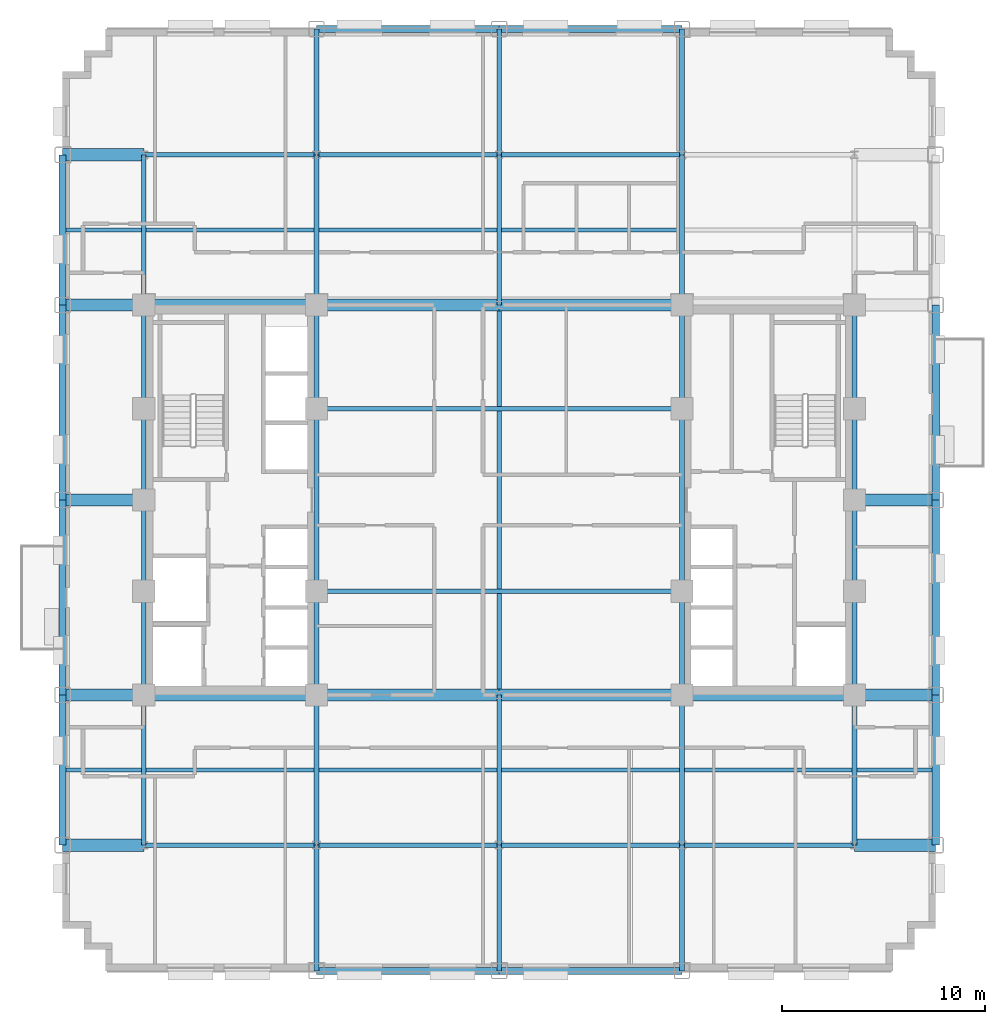
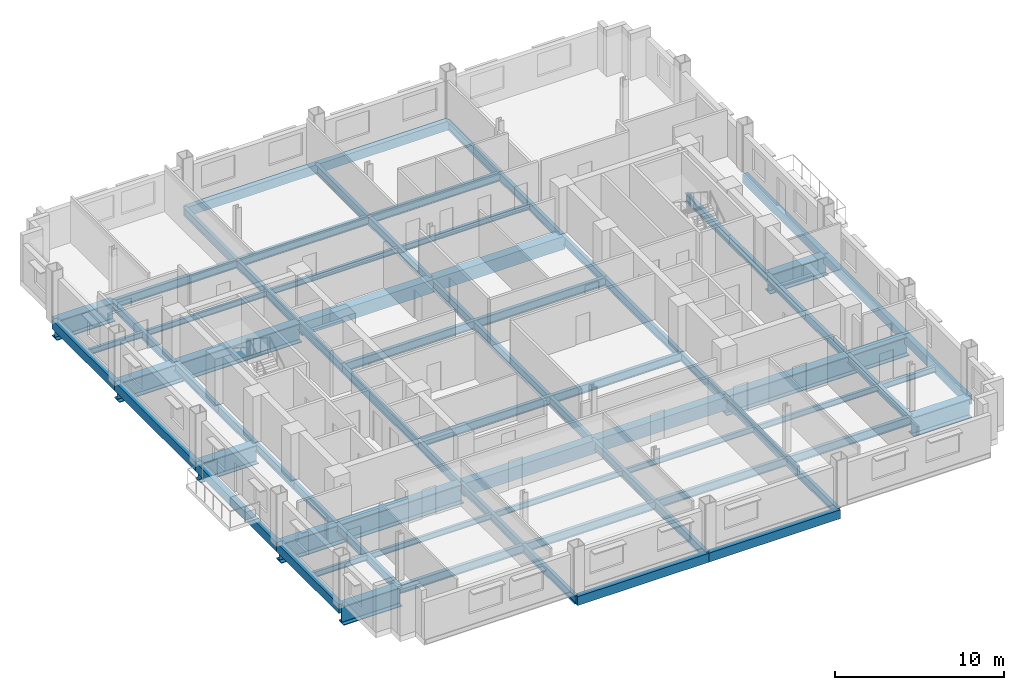
# One storey, part 4 of 14: 72 beams.
"""IFC4 building model written with IfcOpenShell, lengths in metres."""

import ifcopenshell
import ifcopenshell.guid

model = None  # the IFC model being written
_history = None  # IfcOwnerHistory: only IFC2X3 demands one
_inside = {}  # id of a spatial element -> (the spatial element, [elements in it])
_under = {}  # id of a project, library or spatial element -> (it, [spatial elements below it])
_declared = {}  # id of a project -> (the project, [libraries it declares])
_typed = {}  # id of a type object -> (the type object, [elements of that type])
_made_of = {}  # id of a material, layer set ... -> (it, [elements and type objects made of it])


def new_model(schema):
    """Start an empty IFC model of exactly this schema.

    Asked for "IFC4X3", IfcOpenShell would pick the latest addendum, in which some entities
    have other attributes; the version numbers below select the first issue.
    IFC2X3 requires an IfcOwnerHistory on every rooted entity: one is made here for all.
    """
    global model, _history
    if schema == "IFC4X3":
        model = ifcopenshell.file(schema_version=(4, 3, 0, 0))
    else:
        model = ifcopenshell.file(schema=schema)
    _inside.clear()
    _under.clear()
    _declared.clear()
    _typed.clear()
    _made_of.clear()
    _history = None
    if model.schema == "IFC2X3":
        org = make("IfcOrganization", Name="unknown")
        user = make(
            "IfcPersonAndOrganization",
            ThePerson=make("IfcPerson", FamilyName="unknown"),
            TheOrganization=org,
        )
        app = make(
            "IfcApplication",
            ApplicationDeveloper=org,
            Version="unknown",
            ApplicationFullName="unknown",
            ApplicationIdentifier="unknown",
        )
        _history = make(
            "IfcOwnerHistory",
            OwningUser=user,
            OwningApplication=app,
            ChangeAction="ADDED",
            CreationDate=0,
        )
    return model


def make(cls, **values):
    """One entity of the class cls with the attributes given. An attribute that is None is left unset."""
    return model.create_entity(
        cls, **{name: value for name, value in values.items() if value is not None}
    )


def rooted(cls, **values):
    """An entity with a GlobalId (a new one), such as an element, a storey or a relation."""
    return make(cls, GlobalId=ifcopenshell.guid.new(), OwnerHistory=_history, **values)


def si_unit(unit_type, name, prefix=None):
    """IfcSIUnit, for example si_unit("LENGTHUNIT", "METRE", prefix="MILLI")."""
    return make("IfcSIUnit", UnitType=unit_type, Prefix=prefix, Name=name)


def assignment(units):
    """IfcUnitAssignment: the units of a project."""
    return None if units is None else make("IfcUnitAssignment", Units=units)


def point(xyz):
    """IfcCartesianPoint."""
    return None if xyz is None else make("IfcCartesianPoint", Coordinates=xyz)


def direction(xyz):
    """IfcDirection."""
    return None if xyz is None else make("IfcDirection", DirectionRatios=xyz)


def frame(location, z_axis=None, x_axis=None):
    """IfcAxis2Placement3D, a coordinate frame: its origin and axes. An axis left out is left unset."""
    return make(
        "IfcAxis2Placement3D",
        Location=point(location),
        Axis=direction(z_axis),
        RefDirection=direction(x_axis),
    )


def frame_2d(location, x_axis=None):
    """IfcAxis2Placement2D, a coordinate frame in the plane: its origin and x axis."""
    return make(
        "IfcAxis2Placement2D", Location=point(location), RefDirection=direction(x_axis)
    )


def origin():
    """The frame at (0, 0, 0) with its axes left unset."""
    return frame((0.0, 0.0, 0.0))


def origin_2d():
    """The frame at (0, 0) in the plane with its x axis left unset."""
    return frame_2d((0.0, 0.0))


def place(relative_to, where):
    """IfcLocalPlacement: puts the frame where relative to a parent placement (None: the world)."""
    return make(
        "IfcLocalPlacement", PlacementRelTo=relative_to, RelativePlacement=where
    )


def context(
    kind, dimensions, precision=None, world=None, true_north=None, identifier=None
):
    """IfcGeometricRepresentationContext, for example the 3D "Model" context."""
    return make(
        "IfcGeometricRepresentationContext",
        ContextIdentifier=identifier,
        ContextType=kind,
        CoordinateSpaceDimension=dimensions,
        Precision=precision,
        WorldCoordinateSystem=world,
        TrueNorth=true_north,
    )


def subcontext(parent, identifier, kind, view, scale=None):
    """IfcGeometricRepresentationSubContext, for example "Body" below "Model"."""
    return make(
        "IfcGeometricRepresentationSubContext",
        ContextIdentifier=identifier,
        ContextType=kind,
        ParentContext=parent,
        TargetScale=scale,
        TargetView=view,
    )


def project(units=None, contexts=None):
    """IfcProject with its units and contexts."""
    return rooted(
        "IfcProject",
        Name="project",
        RepresentationContexts=contexts,
        UnitsInContext=assignment(units),
    )


def spatial(cls, under=None, at=None, **own):
    """A site, building, storey or space (cls), placed at a placement, below another one or the project."""
    s = rooted(cls, ObjectPlacement=at, **own)
    if under is not None:
        _under.setdefault(under.id(), (under, []))[1].append(s)
    return s


def profile(cls, at=None, kind="AREA", **sizes):
    """A parametric profile (cls). Its sizes go by their IFC names, for example OverallWidth=200.0."""
    return make(cls, ProfileType=kind, Position=at, **sizes)


def rectangle(**sizes):
    """IfcRectangleProfileDef."""
    return profile("IfcRectangleProfileDef", **sizes)


def i_section(**sizes):
    """IfcIShapeProfileDef."""
    return profile("IfcIShapeProfileDef", **sizes)


def extrude(swept, where, along, depth):
    """IfcExtrudedAreaSolid: the profile swept, set in the frame where, extruded along a direction by depth."""
    return make(
        "IfcExtrudedAreaSolid",
        SweptArea=swept,
        Position=where,
        ExtrudedDirection=direction(along),
        Depth=depth,
    )


def shape(context_of_items, identifier, shape_type, items):
    """IfcShapeRepresentation: the items that make up one representation, for example the "Body"."""
    return make(
        "IfcShapeRepresentation",
        ContextOfItems=context_of_items,
        RepresentationIdentifier=identifier,
        RepresentationType=shape_type,
        Items=items,
    )


def material(Name=None, Category=None):
    """IfcMaterial."""
    return make("IfcMaterial", Name=Name, Category=Category)


def material_profile(
    of_material, cross_section, Name=None, Category=None, Priority=None
):
    """IfcMaterialProfile: a cross section and its material."""
    return make(
        "IfcMaterialProfile",
        Name=Name,
        Material=of_material,
        Profile=cross_section,
        Priority=Priority,
        Category=Category,
    )


def profile_set(profiles, Name=None, composite=None):
    """IfcMaterialProfileSet."""
    return make(
        "IfcMaterialProfileSet",
        Name=Name,
        MaterialProfiles=profiles,
        CompositeProfile=composite,
    )


def made_of(thing, what):
    """Note that an element or type object is made of a material, layer set ...; save() writes the relation."""
    if what is not None:
        _made_of.setdefault(what.id(), (what, []))[1].append(thing)
    return thing


def type_object(cls, material=None, **own):
    """A type object (cls), such as IfcWallType, which elements share."""
    return made_of(rooted(cls, **own), material)


def element(
    cls,
    number,
    at=None,
    inside=None,
    cuts=None,
    type_object=None,
    material=None,
    context=None,
    identifier="Body",
    shape_type=None,
    held_by="IfcProductDefinitionShape",
    body=None,
    shapes=None,
    **own,
):
    """One element of the class cls, such as IfcWall. Its Tag is "e" and its number.

    at: its placement. inside: the storey or other place that contains it. cuts: it is an
    opening in that element (IfcRelVoidsElement). A single representation is given by context,
    identifier, shape_type and body (its items); several are given by shapes. held_by: the class
    of the entity that holds the representations. save() writes the other relations.
    """
    e = rooted(cls, Tag="e%d" % number, ObjectPlacement=at, **own)
    if body is not None:
        shapes = [shape(context, identifier, shape_type, body)]
    if shapes is not None:
        e.Representation = make(held_by, Representations=shapes)
    if inside is not None:
        _inside.setdefault(inside.id(), (inside, []))[1].append(e)
    if cuts is not None:
        rooted(
            "IfcRelVoidsElement", RelatingBuildingElement=cuts, RelatedOpeningElement=e
        )
    if type_object is not None:
        _typed.setdefault(type_object.id(), (type_object, []))[1].append(e)
    return made_of(e, material)


def aggregate(whole, parts):
    """IfcRelAggregates: a whole, such as a stair, and the parts it consists of."""
    return rooted("IfcRelAggregates", RelatingObject=whole, RelatedObjects=parts)


def save(model, path):
    """Write the relations noted so far, then the file.

    IfcRelAggregates (storeys below a building ...), IfcRelContainedInSpatialStructure (elements
    in a storey), IfcRelDefinesByType, IfcRelAssociatesMaterial and IfcRelDeclares: one each for
    every whole, place, type object, material and project.
    """
    for whole, parts in _under.values():
        aggregate(whole, parts)
    for where, things in _inside.values():
        rooted(
            "IfcRelContainedInSpatialStructure",
            RelatedElements=things,
            RelatingStructure=where,
        )
    for kind, things in _typed.values():
        rooted("IfcRelDefinesByType", RelatedObjects=things, RelatingType=kind)
    for what, things in _made_of.values():
        rooted("IfcRelAssociatesMaterial", RelatedObjects=things, RelatingMaterial=what)
    for by, libraries in _declared.values():
        rooted("IfcRelDeclares", RelatingContext=by, RelatedDefinitions=libraries)
    model.write(path)


model = new_model("IFC4")

# Units and contexts
model_context = context("Model", 3, precision=1e-05, world=origin(), true_north=direction((0.0, 1.0)))
body_context = subcontext(model_context, "Body", "Model", "MODEL_VIEW")
ifc_project = project(units=[si_unit("LENGTHUNIT", "METRE"), si_unit("AREAUNIT", "SQUARE_METRE"), si_unit("VOLUMEUNIT", "CUBIC_METRE"), si_unit("PLANEANGLEUNIT", "RADIAN"), si_unit("MASSUNIT", "GRAM", prefix="KILO")], contexts=[model_context])

# Site, building, storey
site_placement = place(None, origin())
site = spatial("IfcSite", under=ifc_project, at=site_placement, CompositionType="ELEMENT")
building_placement = place(site_placement, origin())
building = spatial("IfcBuilding", under=site, at=building_placement, Name="Nuvemarco Arch Tower", CompositionType="ELEMENT")
storey_placement = place(building_placement, frame((0.0, 0.0, 56.800048828125)))
storey = spatial("IfcBuildingStorey", under=building, at=storey_placement, Name="L14", CompositionType="ELEMENT", Elevation=56.800048828125)

# Beams
ifc_material_1 = material(Name="Concrete C60/75", Category="concrete")
ifc_material_profile_1 = material_profile(ifc_material_1, rectangle(XDim=0.60009765625, YDim=0.949951171875, at=origin_2d()), Name="RC-BM-600x950")
ifc_profile_set_1 = profile_set([ifc_material_profile_1], Name="Concrete C60/75")
beam_type_1 = type_object("IfcBeamType", Name="BM-COUP-RC", PredefinedType="LINTEL", material=ifc_profile_set_1)
for number, where, z_axis, x_axis, name in (
    (1, (-9.0, -9.60009765625, -0.875), (1.0, 0.0, 0.0), (0.0, 1.0, 0.0), "L14 structural beam BGEW_L14_0_-9.6_-9.0"),
    (2, (0.0, -9.60009765625, -0.875), (1.0, 0.0, 0.0), (0.0, 1.0, 0.0), "L14 structural beam BGEW_L14_0_-9.6_+0.0"),
    (3, (-9.0, 9.60009765625, -0.875), (1.0, 0.0, 0.0), (0.0, 1.0, 0.0), "L14 structural beam BGEW_L14_0_+9.6_-9.0"),
    (4, (0.0, 9.60009765625, -0.875), (1.0, 0.0, 0.0), (0.0, 1.0, 0.0), "L14 structural beam BGEW_L14_0_+9.6_+0.0"),
):
    element("IfcBeam", number, at=place(storey_placement, frame(where, z_axis=z_axis, x_axis=x_axis)), inside=storey, type_object=beam_type_1, Name=name, PredefinedType="LINTEL", context=body_context, shape_type="SweptSolid", body=[
        extrude(rectangle(XDim=0.60009765625, YDim=0.949951171875, at=origin_2d()), origin(), (0.0, 0.0, 1.0), 9.0),
    ])
ifc_material_2 = material(Name="Steel S355", Category="steel")
ifc_material_profile_2 = material_profile(ifc_material_2, i_section(OverallWidth=0.22998046875, OverallDepth=0.616943359375, WebThickness=0.01318359375, FlangeThickness=0.022216796875, FilletRadius=0.01611328125, at=origin_2d()), Name="W610x140")
ifc_profile_set_2 = profile_set([ifc_material_profile_2], Name="Steel S355")
beam_type_2 = type_object("IfcBeamType", Name="BM-GIRD-610", PredefinedType="BEAM", material=ifc_profile_set_2)
beam_1_placement = place(storey_placement, frame((-17.5, -17.0, -0.70849609375), z_axis=(0.0, 1.0, 0.0), x_axis=(-1.0, 0.0, 0.0)))
element("IfcBeam", 5, at=beam_1_placement, inside=storey, type_object=beam_type_2, Name="L14 structural beam BGNS_L14_0_-17.5_-17.0", PredefinedType="BEAM", context=body_context, shape_type="SweptSolid", body=[
    extrude(i_section(OverallWidth=0.22998046875, OverallDepth=0.616943359375, WebThickness=0.01318359375, FlangeThickness=0.022216796875, FilletRadius=0.01611328125, at=origin_2d()), origin(), (0.0, 0.0, 1.0), 7.39990234375),
])
beam_2_placement = place(storey_placement, frame((-17.5, -9.60009765625, -0.70849609375), z_axis=(0.0, 1.0, 0.0), x_axis=(-1.0, 0.0, 0.0)))
element("IfcBeam", 6, at=beam_2_placement, inside=storey, type_object=beam_type_2, Name="L14 structural beam BGNS_L14_0_-17.5_-9.6", PredefinedType="BEAM", context=body_context, shape_type="SweptSolid", body=[
    extrude(i_section(OverallWidth=0.22998046875, OverallDepth=0.616943359375, WebThickness=0.01318359375, FlangeThickness=0.022216796875, FilletRadius=0.01611328125, at=origin_2d()), origin(), (0.0, 0.0, 1.0), 5.10009765625),
])
for number, where, z_axis, x_axis, name in (
    (7, (-17.5, -4.5, -0.70849609375), (0.0, 1.0, 0.0), (-1.0, 0.0, 0.0), "L14 structural beam BGNS_L14_0_-17.5_-4.5"),
    (8, (-17.5, 0.0, -0.70849609375), (0.0, 1.0, 0.0), (-1.0, 0.0, 0.0), "L14 structural beam BGNS_L14_0_-17.5_+0.0"),
):
    element("IfcBeam", number, at=place(storey_placement, frame(where, z_axis=z_axis, x_axis=x_axis)), inside=storey, type_object=beam_type_2, Name=name, PredefinedType="BEAM", context=body_context, shape_type="SweptSolid", body=[
        extrude(i_section(OverallWidth=0.22998046875, OverallDepth=0.616943359375, WebThickness=0.01318359375, FlangeThickness=0.022216796875, FilletRadius=0.01611328125, at=origin_2d()), origin(), (0.0, 0.0, 1.0), 4.5),
    ])
beam_3_placement = place(storey_placement, frame((-17.5, 4.5, -0.70849609375), z_axis=(0.0, 1.0, 0.0), x_axis=(-1.0, 0.0, 0.0)))
element("IfcBeam", 9, at=beam_3_placement, inside=storey, type_object=beam_type_2, Name="L14 structural beam BGNS_L14_0_-17.5_+4.5", PredefinedType="BEAM", context=body_context, shape_type="SweptSolid", body=[
    extrude(i_section(OverallWidth=0.22998046875, OverallDepth=0.616943359375, WebThickness=0.01318359375, FlangeThickness=0.022216796875, FilletRadius=0.01611328125, at=origin_2d()), origin(), (0.0, 0.0, 1.0), 5.10009765625),
])
beam_4_placement = place(storey_placement, frame((-17.5, 9.60009765625, -0.70849609375), z_axis=(0.0, 1.0, 0.0), x_axis=(-1.0, 0.0, 0.0)))
element("IfcBeam", 10, at=beam_4_placement, inside=storey, type_object=beam_type_2, Name="L14 structural beam BGNS_L14_0_-17.5_+9.6", PredefinedType="BEAM", context=body_context, shape_type="SweptSolid", body=[
    extrude(i_section(OverallWidth=0.22998046875, OverallDepth=0.616943359375, WebThickness=0.01318359375, FlangeThickness=0.022216796875, FilletRadius=0.01611328125, at=origin_2d()), origin(), (0.0, 0.0, 1.0), 7.39990234375),
])
beam_5_placement = place(storey_placement, frame((-9.0, -23.199951171875, -0.70849609375), z_axis=(0.0, 1.0, 0.0), x_axis=(-1.0, 0.0, 0.0)))
element("IfcBeam", 11, at=beam_5_placement, inside=storey, type_object=beam_type_2, Name="L14 structural beam BGNS_L14_0_-9.0_-23.2", PredefinedType="BEAM", context=body_context, shape_type="SweptSolid", body=[
    extrude(i_section(OverallWidth=0.22998046875, OverallDepth=0.616943359375, WebThickness=0.01318359375, FlangeThickness=0.022216796875, FilletRadius=0.01611328125, at=origin_2d()), origin(), (0.0, 0.0, 1.0), 6.199951171875),
])
beam_6_placement = place(storey_placement, frame((-9.0, -17.0, -0.70849609375), z_axis=(0.0, 1.0, 0.0), x_axis=(-1.0, 0.0, 0.0)))
element("IfcBeam", 12, at=beam_6_placement, inside=storey, type_object=beam_type_2, Name="L14 structural beam BGNS_L14_0_-9.0_-17.0", PredefinedType="BEAM", context=body_context, shape_type="SweptSolid", body=[
    extrude(i_section(OverallWidth=0.22998046875, OverallDepth=0.616943359375, WebThickness=0.01318359375, FlangeThickness=0.022216796875, FilletRadius=0.01611328125, at=origin_2d()), origin(), (0.0, 0.0, 1.0), 7.39990234375),
])
beam_7_placement = place(storey_placement, frame((-9.0, -9.60009765625, -0.70849609375), z_axis=(0.0, 1.0, 0.0), x_axis=(-1.0, 0.0, 0.0)))
element("IfcBeam", 13, at=beam_7_placement, inside=storey, type_object=beam_type_2, Name="L14 structural beam BGNS_L14_0_-9.0_-9.6", PredefinedType="BEAM", context=body_context, shape_type="SweptSolid", body=[
    extrude(i_section(OverallWidth=0.22998046875, OverallDepth=0.616943359375, WebThickness=0.01318359375, FlangeThickness=0.022216796875, FilletRadius=0.01611328125, at=origin_2d()), origin(), (0.0, 0.0, 1.0), 5.10009765625),
])
beam_8_placement = place(storey_placement, frame((-9.0, -4.5, -0.70849609375), z_axis=(0.0, 1.0, 0.0), x_axis=(-1.0, 0.0, 0.0)))
element("IfcBeam", 14, at=beam_8_placement, inside=storey, type_object=beam_type_2, Name="L14 structural beam BGNS_L14_0_-9.0_-4.5", PredefinedType="BEAM", context=body_context, shape_type="SweptSolid", body=[
    extrude(i_section(OverallWidth=0.22998046875, OverallDepth=0.616943359375, WebThickness=0.01318359375, FlangeThickness=0.022216796875, FilletRadius=0.01611328125, at=origin_2d()), origin(), (0.0, 0.0, 1.0), 9.0),
])
beam_9_placement = place(storey_placement, frame((-9.0, 4.5, -0.70849609375), z_axis=(0.0, 1.0, 0.0), x_axis=(-1.0, 0.0, 0.0)))
element("IfcBeam", 15, at=beam_9_placement, inside=storey, type_object=beam_type_2, Name="L14 structural beam BGNS_L14_0_-9.0_+4.5", PredefinedType="BEAM", context=body_context, shape_type="SweptSolid", body=[
    extrude(i_section(OverallWidth=0.22998046875, OverallDepth=0.616943359375, WebThickness=0.01318359375, FlangeThickness=0.022216796875, FilletRadius=0.01611328125, at=origin_2d()), origin(), (0.0, 0.0, 1.0), 5.10009765625),
])
beam_10_placement = place(storey_placement, frame((-9.0, 9.60009765625, -0.70849609375), z_axis=(0.0, 1.0, 0.0), x_axis=(-1.0, 0.0, 0.0)))
element("IfcBeam", 16, at=beam_10_placement, inside=storey, type_object=beam_type_2, Name="L14 structural beam BGNS_L14_0_-9.0_+9.6", PredefinedType="BEAM", context=body_context, shape_type="SweptSolid", body=[
    extrude(i_section(OverallWidth=0.22998046875, OverallDepth=0.616943359375, WebThickness=0.01318359375, FlangeThickness=0.022216796875, FilletRadius=0.01611328125, at=origin_2d()), origin(), (0.0, 0.0, 1.0), 7.39990234375),
])
for number, where, z_axis, x_axis, name in (
    (17, (-9.0, 17.0, -0.70849609375), (0.0, 1.0, 0.0), (-1.0, 0.0, 0.0), "L14 structural beam BGNS_L14_0_-9.0_+17.0"),
    (18, (0.0, -23.199951171875, -0.70849609375), (0.0, 1.0, 0.0), (-1.0, 0.0, 0.0), "L14 structural beam BGNS_L14_0_+0.0_-23.2"),
):
    element("IfcBeam", number, at=place(storey_placement, frame(where, z_axis=z_axis, x_axis=x_axis)), inside=storey, type_object=beam_type_2, Name=name, PredefinedType="BEAM", context=body_context, shape_type="SweptSolid", body=[
        extrude(i_section(OverallWidth=0.22998046875, OverallDepth=0.616943359375, WebThickness=0.01318359375, FlangeThickness=0.022216796875, FilletRadius=0.01611328125, at=origin_2d()), origin(), (0.0, 0.0, 1.0), 6.199951171875),
    ])
beam_11_placement = place(storey_placement, frame((0.0, -17.0, -0.70849609375), z_axis=(0.0, 1.0, 0.0), x_axis=(-1.0, 0.0, 0.0)))
element("IfcBeam", 19, at=beam_11_placement, inside=storey, type_object=beam_type_2, Name="L14 structural beam BGNS_L14_0_+0.0_-17.0", PredefinedType="BEAM", context=body_context, shape_type="SweptSolid", body=[
    extrude(i_section(OverallWidth=0.22998046875, OverallDepth=0.616943359375, WebThickness=0.01318359375, FlangeThickness=0.022216796875, FilletRadius=0.01611328125, at=origin_2d()), origin(), (0.0, 0.0, 1.0), 7.39990234375),
])
beam_12_placement = place(storey_placement, frame((0.0, -9.60009765625, -0.70849609375), z_axis=(0.0, 1.0, 0.0), x_axis=(-1.0, 0.0, 0.0)))
element("IfcBeam", 20, at=beam_12_placement, inside=storey, type_object=beam_type_2, Name="L14 structural beam BGNS_L14_0_+0.0_-9.6", PredefinedType="BEAM", context=body_context, shape_type="SweptSolid", body=[
    extrude(i_section(OverallWidth=0.22998046875, OverallDepth=0.616943359375, WebThickness=0.01318359375, FlangeThickness=0.022216796875, FilletRadius=0.01611328125, at=origin_2d()), origin(), (0.0, 0.0, 1.0), 19.2001953125),
])
beam_13_placement = place(storey_placement, frame((0.0, 9.60009765625, -0.70849609375), z_axis=(0.0, 1.0, 0.0), x_axis=(-1.0, 0.0, 0.0)))
element("IfcBeam", 21, at=beam_13_placement, inside=storey, type_object=beam_type_2, Name="L14 structural beam BGNS_L14_0_+0.0_+9.6", PredefinedType="BEAM", context=body_context, shape_type="SweptSolid", body=[
    extrude(i_section(OverallWidth=0.22998046875, OverallDepth=0.616943359375, WebThickness=0.01318359375, FlangeThickness=0.022216796875, FilletRadius=0.01611328125, at=origin_2d()), origin(), (0.0, 0.0, 1.0), 7.39990234375),
])
for number, where, z_axis, x_axis, name in (
    (22, (0.0, 17.0, -0.70849609375), (0.0, 1.0, 0.0), (-1.0, 0.0, 0.0), "L14 structural beam BGNS_L14_0_+0.0_+17.0"),
    (23, (9.0, -23.199951171875, -0.70849609375), (0.0, 1.0, 0.0), (-1.0, 0.0, 0.0), "L14 structural beam BGNS_L14_0_+9.0_-23.2"),
):
    element("IfcBeam", number, at=place(storey_placement, frame(where, z_axis=z_axis, x_axis=x_axis)), inside=storey, type_object=beam_type_2, Name=name, PredefinedType="BEAM", context=body_context, shape_type="SweptSolid", body=[
        extrude(i_section(OverallWidth=0.22998046875, OverallDepth=0.616943359375, WebThickness=0.01318359375, FlangeThickness=0.022216796875, FilletRadius=0.01611328125, at=origin_2d()), origin(), (0.0, 0.0, 1.0), 6.199951171875),
    ])
beam_14_placement = place(storey_placement, frame((9.0, -17.0, -0.70849609375), z_axis=(0.0, 1.0, 0.0), x_axis=(-1.0, 0.0, 0.0)))
element("IfcBeam", 24, at=beam_14_placement, inside=storey, type_object=beam_type_2, Name="L14 structural beam BGNS_L14_0_+9.0_-17.0", PredefinedType="BEAM", context=body_context, shape_type="SweptSolid", body=[
    extrude(i_section(OverallWidth=0.22998046875, OverallDepth=0.616943359375, WebThickness=0.01318359375, FlangeThickness=0.022216796875, FilletRadius=0.01611328125, at=origin_2d()), origin(), (0.0, 0.0, 1.0), 7.39990234375),
])
beam_15_placement = place(storey_placement, frame((9.0, -9.60009765625, -0.70849609375), z_axis=(0.0, 1.0, 0.0), x_axis=(-1.0, 0.0, 0.0)))
element("IfcBeam", 25, at=beam_15_placement, inside=storey, type_object=beam_type_2, Name="L14 structural beam BGNS_L14_0_+9.0_-9.6", PredefinedType="BEAM", context=body_context, shape_type="SweptSolid", body=[
    extrude(i_section(OverallWidth=0.22998046875, OverallDepth=0.616943359375, WebThickness=0.01318359375, FlangeThickness=0.022216796875, FilletRadius=0.01611328125, at=origin_2d()), origin(), (0.0, 0.0, 1.0), 5.10009765625),
])
beam_16_placement = place(storey_placement, frame((9.0, -4.5, -0.70849609375), z_axis=(0.0, 1.0, 0.0), x_axis=(-1.0, 0.0, 0.0)))
element("IfcBeam", 26, at=beam_16_placement, inside=storey, type_object=beam_type_2, Name="L14 structural beam BGNS_L14_0_+9.0_-4.5", PredefinedType="BEAM", context=body_context, shape_type="SweptSolid", body=[
    extrude(i_section(OverallWidth=0.22998046875, OverallDepth=0.616943359375, WebThickness=0.01318359375, FlangeThickness=0.022216796875, FilletRadius=0.01611328125, at=origin_2d()), origin(), (0.0, 0.0, 1.0), 9.0),
])
beam_17_placement = place(storey_placement, frame((9.0, 4.5, -0.70849609375), z_axis=(0.0, 1.0, 0.0), x_axis=(-1.0, 0.0, 0.0)))
element("IfcBeam", 27, at=beam_17_placement, inside=storey, type_object=beam_type_2, Name="L14 structural beam BGNS_L14_0_+9.0_+4.5", PredefinedType="BEAM", context=body_context, shape_type="SweptSolid", body=[
    extrude(i_section(OverallWidth=0.22998046875, OverallDepth=0.616943359375, WebThickness=0.01318359375, FlangeThickness=0.022216796875, FilletRadius=0.01611328125, at=origin_2d()), origin(), (0.0, 0.0, 1.0), 5.10009765625),
])
beam_18_placement = place(storey_placement, frame((9.0, 9.60009765625, -0.70849609375), z_axis=(0.0, 1.0, 0.0), x_axis=(-1.0, 0.0, 0.0)))
element("IfcBeam", 28, at=beam_18_placement, inside=storey, type_object=beam_type_2, Name="L14 structural beam BGNS_L14_0_+9.0_+9.6", PredefinedType="BEAM", context=body_context, shape_type="SweptSolid", body=[
    extrude(i_section(OverallWidth=0.22998046875, OverallDepth=0.616943359375, WebThickness=0.01318359375, FlangeThickness=0.022216796875, FilletRadius=0.01611328125, at=origin_2d()), origin(), (0.0, 0.0, 1.0), 7.39990234375),
])
beam_19_placement = place(storey_placement, frame((9.0, 17.0, -0.70849609375), z_axis=(0.0, 1.0, 0.0), x_axis=(-1.0, 0.0, 0.0)))
element("IfcBeam", 29, at=beam_19_placement, inside=storey, type_object=beam_type_2, Name="L14 structural beam BGNS_L14_0_+9.0_+17.0", PredefinedType="BEAM", context=body_context, shape_type="SweptSolid", body=[
    extrude(i_section(OverallWidth=0.22998046875, OverallDepth=0.616943359375, WebThickness=0.01318359375, FlangeThickness=0.022216796875, FilletRadius=0.01611328125, at=origin_2d()), origin(), (0.0, 0.0, 1.0), 6.199951171875),
])
beam_20_placement = place(storey_placement, frame((17.5, -17.0, -0.70849609375), z_axis=(0.0, 1.0, 0.0), x_axis=(-1.0, 0.0, 0.0)))
element("IfcBeam", 30, at=beam_20_placement, inside=storey, type_object=beam_type_2, Name="L14 structural beam BGNS_L14_0_+17.5_-17.0", PredefinedType="BEAM", context=body_context, shape_type="SweptSolid", body=[
    extrude(i_section(OverallWidth=0.22998046875, OverallDepth=0.616943359375, WebThickness=0.01318359375, FlangeThickness=0.022216796875, FilletRadius=0.01611328125, at=origin_2d()), origin(), (0.0, 0.0, 1.0), 7.39990234375),
])
beam_21_placement = place(storey_placement, frame((17.5, -9.60009765625, -0.70849609375), z_axis=(0.0, 1.0, 0.0), x_axis=(-1.0, 0.0, 0.0)))
element("IfcBeam", 31, at=beam_21_placement, inside=storey, type_object=beam_type_2, Name="L14 structural beam BGNS_L14_0_+17.5_-9.6", PredefinedType="BEAM", context=body_context, shape_type="SweptSolid", body=[
    extrude(i_section(OverallWidth=0.22998046875, OverallDepth=0.616943359375, WebThickness=0.01318359375, FlangeThickness=0.022216796875, FilletRadius=0.01611328125, at=origin_2d()), origin(), (0.0, 0.0, 1.0), 5.10009765625),
])
for number, where, z_axis, x_axis, name in (
    (32, (17.5, -4.5, -0.70849609375), (0.0, 1.0, 0.0), (-1.0, 0.0, 0.0), "L14 structural beam BGNS_L14_0_+17.5_-4.5"),
    (33, (17.5, 0.0, -0.70849609375), (0.0, 1.0, 0.0), (-1.0, 0.0, 0.0), "L14 structural beam BGNS_L14_0_+17.5_+0.0"),
):
    element("IfcBeam", number, at=place(storey_placement, frame(where, z_axis=z_axis, x_axis=x_axis)), inside=storey, type_object=beam_type_2, Name=name, PredefinedType="BEAM", context=body_context, shape_type="SweptSolid", body=[
        extrude(i_section(OverallWidth=0.22998046875, OverallDepth=0.616943359375, WebThickness=0.01318359375, FlangeThickness=0.022216796875, FilletRadius=0.01611328125, at=origin_2d()), origin(), (0.0, 0.0, 1.0), 4.5),
    ])
beam_22_placement = place(storey_placement, frame((17.5, 4.5, -0.70849609375), z_axis=(0.0, 1.0, 0.0), x_axis=(-1.0, 0.0, 0.0)))
element("IfcBeam", 34, at=beam_22_placement, inside=storey, type_object=beam_type_2, Name="L14 structural beam BGNS_L14_0_+17.5_+4.5", PredefinedType="BEAM", context=body_context, shape_type="SweptSolid", body=[
    extrude(i_section(OverallWidth=0.22998046875, OverallDepth=0.616943359375, WebThickness=0.01318359375, FlangeThickness=0.022216796875, FilletRadius=0.01611328125, at=origin_2d()), origin(), (0.0, 0.0, 1.0), 5.10009765625),
])
beam_23_placement = place(storey_placement, frame((-17.5, -17.0, -0.70849609375), z_axis=(1.0, 0.0, 0.0), x_axis=(0.0, 1.0, 0.0)))
element("IfcBeam", 35, at=beam_23_placement, inside=storey, type_object=beam_type_2, Name="L14 structural beam BGEW_L14_0_-17.0_-17.5", PredefinedType="BEAM", context=body_context, shape_type="SweptSolid", body=[
    extrude(i_section(OverallWidth=0.22998046875, OverallDepth=0.616943359375, WebThickness=0.01318359375, FlangeThickness=0.022216796875, FilletRadius=0.01611328125, at=origin_2d()), origin(), (0.0, 0.0, 1.0), 8.5),
])
for number, where, z_axis, x_axis, name in (
    (36, (-9.0, -17.0, -0.70849609375), (1.0, 0.0, 0.0), (0.0, 1.0, 0.0), "L14 structural beam BGEW_L14_0_-17.0_-9.0"),
    (37, (0.0, -17.0, -0.70849609375), (1.0, 0.0, 0.0), (0.0, 1.0, 0.0), "L14 structural beam BGEW_L14_0_-17.0_+0.0"),
):
    element("IfcBeam", number, at=place(storey_placement, frame(where, z_axis=z_axis, x_axis=x_axis)), inside=storey, type_object=beam_type_2, Name=name, PredefinedType="BEAM", context=body_context, shape_type="SweptSolid", body=[
        extrude(i_section(OverallWidth=0.22998046875, OverallDepth=0.616943359375, WebThickness=0.01318359375, FlangeThickness=0.022216796875, FilletRadius=0.01611328125, at=origin_2d()), origin(), (0.0, 0.0, 1.0), 9.0),
    ])
beam_24_placement = place(storey_placement, frame((9.0, -17.0, -0.70849609375), z_axis=(1.0, 0.0, 0.0), x_axis=(0.0, 1.0, 0.0)))
element("IfcBeam", 38, at=beam_24_placement, inside=storey, type_object=beam_type_2, Name="L14 structural beam BGEW_L14_0_-17.0_+9.0", PredefinedType="BEAM", context=body_context, shape_type="SweptSolid", body=[
    extrude(i_section(OverallWidth=0.22998046875, OverallDepth=0.616943359375, WebThickness=0.01318359375, FlangeThickness=0.022216796875, FilletRadius=0.01611328125, at=origin_2d()), origin(), (0.0, 0.0, 1.0), 8.5),
])
for number, where, z_axis, x_axis, name in (
    (39, (-9.0, -4.5, -0.70849609375), (1.0, 0.0, 0.0), (0.0, 1.0, 0.0), "L14 structural beam BGEW_L14_0_-4.5_-9.0"),
    (40, (-9.0, 4.5, -0.70849609375), (1.0, 0.0, 0.0), (0.0, 1.0, 0.0), "L14 structural beam BGEW_L14_0_+4.5_-9.0"),
):
    element("IfcBeam", number, at=place(storey_placement, frame(where, z_axis=z_axis, x_axis=x_axis)), inside=storey, type_object=beam_type_2, Name=name, PredefinedType="BEAM", context=body_context, shape_type="SweptSolid", body=[
        extrude(i_section(OverallWidth=0.22998046875, OverallDepth=0.616943359375, WebThickness=0.01318359375, FlangeThickness=0.022216796875, FilletRadius=0.01611328125, at=origin_2d()), origin(), (0.0, 0.0, 1.0), 18.0),
    ])
beam_25_placement = place(storey_placement, frame((-17.5, 17.0, -0.70849609375), z_axis=(1.0, 0.0, 0.0), x_axis=(0.0, 1.0, 0.0)))
element("IfcBeam", 41, at=beam_25_placement, inside=storey, type_object=beam_type_2, Name="L14 structural beam BGEW_L14_0_+17.0_-17.5", PredefinedType="BEAM", context=body_context, shape_type="SweptSolid", body=[
    extrude(i_section(OverallWidth=0.22998046875, OverallDepth=0.616943359375, WebThickness=0.01318359375, FlangeThickness=0.022216796875, FilletRadius=0.01611328125, at=origin_2d()), origin(), (0.0, 0.0, 1.0), 8.5),
])
for number, where, z_axis, x_axis, name in (
    (42, (-9.0, 17.0, -0.70849609375), (1.0, 0.0, 0.0), (0.0, 1.0, 0.0), "L14 structural beam BGEW_L14_0_+17.0_-9.0"),
    (43, (0.0, 17.0, -0.70849609375), (1.0, 0.0, 0.0), (0.0, 1.0, 0.0), "L14 structural beam BGEW_L14_0_+17.0_+0.0"),
):
    element("IfcBeam", number, at=place(storey_placement, frame(where, z_axis=z_axis, x_axis=x_axis)), inside=storey, type_object=beam_type_2, Name=name, PredefinedType="BEAM", context=body_context, shape_type="SweptSolid", body=[
        extrude(i_section(OverallWidth=0.22998046875, OverallDepth=0.616943359375, WebThickness=0.01318359375, FlangeThickness=0.022216796875, FilletRadius=0.01611328125, at=origin_2d()), origin(), (0.0, 0.0, 1.0), 9.0),
    ])
ifc_material_profile_3 = material_profile(ifc_material_2, i_section(OverallWidth=0.179931640625, OverallDepth=0.4130859375, WebThickness=0.009765625, FlangeThickness=0.01611328125, FilletRadius=0.014892578125, at=origin_2d()), Name="W410x75")
ifc_profile_set_3 = profile_set([ifc_material_profile_3], Name="Steel S355")
beam_type_3 = type_object("IfcBeamType", Name="BM-JOIST-410", PredefinedType="JOIST", material=ifc_profile_set_3)
beam_26_placement = place(storey_placement, frame((-21.324951171875, -13.300048828125, -0.6064453125), z_axis=(1.0, 0.0, 0.0), x_axis=(0.0, 1.0, 0.0)))
element("IfcBeam", 44, at=beam_26_placement, inside=storey, type_object=beam_type_3, Name="L14 structural beam BJ_L14_0_-13.3_-21.5", PredefinedType="JOIST", context=body_context, shape_type="SweptSolid", body=[
    extrude(i_section(OverallWidth=0.179931640625, OverallDepth=0.4130859375, WebThickness=0.009765625, FlangeThickness=0.01611328125, FilletRadius=0.014892578125, at=origin_2d()), origin(), (0.0, 0.0, 1.0), 3.7099609375),
])
beam_27_placement = place(storey_placement, frame((-17.385009765625, -13.300048828125, -0.6064453125), z_axis=(1.0, 0.0, 0.0), x_axis=(0.0, 1.0, 0.0)))
element("IfcBeam", 45, at=beam_27_placement, inside=storey, type_object=beam_type_3, Name="L14 structural beam BJ_L14_0_-13.3_-17.5", PredefinedType="JOIST", context=body_context, shape_type="SweptSolid", body=[
    extrude(i_section(OverallWidth=0.179931640625, OverallDepth=0.4130859375, WebThickness=0.009765625, FlangeThickness=0.01611328125, FilletRadius=0.014892578125, at=origin_2d()), origin(), (0.0, 0.0, 1.0), 8.27001953125),
])
for number, where, z_axis, x_axis, name in (
    (46, (-8.885009765625, -13.300048828125, -0.6064453125), (1.0, 0.0, 0.0), (0.0, 1.0, 0.0), "L14 structural beam BJ_L14_0_-13.3_-9.0"),
    (47, (0.114990234375, -13.300048828125, -0.6064453125), (1.0, 0.0, 0.0), (0.0, 1.0, 0.0), "L14 structural beam BJ_L14_0_-13.3_+0.0"),
):
    element("IfcBeam", number, at=place(storey_placement, frame(where, z_axis=z_axis, x_axis=x_axis)), inside=storey, type_object=beam_type_3, Name=name, PredefinedType="JOIST", context=body_context, shape_type="SweptSolid", body=[
        extrude(i_section(OverallWidth=0.179931640625, OverallDepth=0.4130859375, WebThickness=0.009765625, FlangeThickness=0.01611328125, FilletRadius=0.014892578125, at=origin_2d()), origin(), (0.0, 0.0, 1.0), 8.77001953125),
    ])
beam_28_placement = place(storey_placement, frame((9.114990234375, -13.300048828125, -0.6064453125), z_axis=(1.0, 0.0, 0.0), x_axis=(0.0, 1.0, 0.0)))
element("IfcBeam", 48, at=beam_28_placement, inside=storey, type_object=beam_type_3, Name="L14 structural beam BJ_L14_0_-13.3_+9.0", PredefinedType="JOIST", context=body_context, shape_type="SweptSolid", body=[
    extrude(i_section(OverallWidth=0.179931640625, OverallDepth=0.4130859375, WebThickness=0.009765625, FlangeThickness=0.01611328125, FilletRadius=0.014892578125, at=origin_2d()), origin(), (0.0, 0.0, 1.0), 8.27001953125),
])
for number, where, z_axis, x_axis, name in (
    (49, (17.614990234375, -13.300048828125, -0.6064453125), (1.0, 0.0, 0.0), (0.0, 1.0, 0.0), "L14 structural beam BJ_L14_0_-13.3_+17.5"),
    (50, (-21.324951171875, 13.300048828125, -0.6064453125), (1.0, 0.0, 0.0), (0.0, 1.0, 0.0), "L14 structural beam BJ_L14_0_+13.3_-21.5"),
):
    element("IfcBeam", number, at=place(storey_placement, frame(where, z_axis=z_axis, x_axis=x_axis)), inside=storey, type_object=beam_type_3, Name=name, PredefinedType="JOIST", context=body_context, shape_type="SweptSolid", body=[
        extrude(i_section(OverallWidth=0.179931640625, OverallDepth=0.4130859375, WebThickness=0.009765625, FlangeThickness=0.01611328125, FilletRadius=0.014892578125, at=origin_2d()), origin(), (0.0, 0.0, 1.0), 3.7099609375),
    ])
beam_29_placement = place(storey_placement, frame((-17.385009765625, 13.300048828125, -0.6064453125), z_axis=(1.0, 0.0, 0.0), x_axis=(0.0, 1.0, 0.0)))
element("IfcBeam", 51, at=beam_29_placement, inside=storey, type_object=beam_type_3, Name="L14 structural beam BJ_L14_0_+13.3_-17.5", PredefinedType="JOIST", context=body_context, shape_type="SweptSolid", body=[
    extrude(i_section(OverallWidth=0.179931640625, OverallDepth=0.4130859375, WebThickness=0.009765625, FlangeThickness=0.01611328125, FilletRadius=0.014892578125, at=origin_2d()), origin(), (0.0, 0.0, 1.0), 8.27001953125),
])
for number, where, z_axis, x_axis, name in (
    (52, (-8.885009765625, 13.300048828125, -0.6064453125), (1.0, 0.0, 0.0), (0.0, 1.0, 0.0), "L14 structural beam BJ_L14_0_+13.3_-9.0"),
    (53, (0.114990234375, 13.300048828125, -0.6064453125), (1.0, 0.0, 0.0), (0.0, 1.0, 0.0), "L14 structural beam BJ_L14_0_+13.3_+0.0"),
):
    element("IfcBeam", number, at=place(storey_placement, frame(where, z_axis=z_axis, x_axis=x_axis)), inside=storey, type_object=beam_type_3, Name=name, PredefinedType="JOIST", context=body_context, shape_type="SweptSolid", body=[
        extrude(i_section(OverallWidth=0.179931640625, OverallDepth=0.4130859375, WebThickness=0.009765625, FlangeThickness=0.01611328125, FilletRadius=0.014892578125, at=origin_2d()), origin(), (0.0, 0.0, 1.0), 8.77001953125),
    ])
ifc_material_3 = material(Name="Precast concrete C45/55", Category="concrete")
ifc_material_profile_4 = material_profile(ifc_material_3, rectangle(XDim=0.35009765625, YDim=0.64990234375, at=origin_2d()), Name="PC-SP-350x650")
ifc_profile_set_4 = profile_set([ifc_material_profile_4], Name="Precast concrete C45/55")
beam_type_4 = type_object("IfcBeamType", Name="BM-SPAN-RC", PredefinedType="SPANDREL", material=ifc_profile_set_4)
beam_30_placement = place(storey_placement, frame((-21.5, -17.0, -0.72509765625), z_axis=(0.0, 1.0, 0.0), x_axis=(-1.0, 0.0, 0.0)))
element("IfcBeam", 54, at=beam_30_placement, inside=storey, type_object=beam_type_4, Name="L14 structural beam BGNS_L14_0_-21.5_-17.0", PredefinedType="SPANDREL", context=body_context, shape_type="SweptSolid", body=[
    extrude(rectangle(XDim=0.35009765625, YDim=0.64990234375, at=origin_2d()), origin(), (0.0, 0.0, 1.0), 7.39990234375),
])
for number, where, z_axis, x_axis, name in (
    (55, (-21.5, -9.60009765625, -0.72509765625), (0.0, 1.0, 0.0), (-1.0, 0.0, 0.0), "L14 structural beam BGNS_L14_0_-21.5_-9.6"),
    (56, (-21.5, 0.0, -0.72509765625), (0.0, 1.0, 0.0), (-1.0, 0.0, 0.0), "L14 structural beam BGNS_L14_0_-21.5_+0.0"),
):
    element("IfcBeam", number, at=place(storey_placement, frame(where, z_axis=z_axis, x_axis=x_axis)), inside=storey, type_object=beam_type_4, Name=name, PredefinedType="SPANDREL", context=body_context, shape_type="SweptSolid", body=[
        extrude(rectangle(XDim=0.35009765625, YDim=0.64990234375, at=origin_2d()), origin(), (0.0, 0.0, 1.0), 9.60009765625),
    ])
for number, where, z_axis, x_axis, name in (
    (57, (-21.5, 9.60009765625, -0.72509765625), (0.0, 1.0, 0.0), (-1.0, 0.0, 0.0), "L14 structural beam BGNS_L14_0_-21.5_+9.6"),
    (58, (21.5, -17.0, -0.72509765625), (0.0, 1.0, 0.0), (-1.0, 0.0, 0.0), "L14 structural beam BGNS_L14_0_+21.5_-17.0"),
):
    element("IfcBeam", number, at=place(storey_placement, frame(where, z_axis=z_axis, x_axis=x_axis)), inside=storey, type_object=beam_type_4, Name=name, PredefinedType="SPANDREL", context=body_context, shape_type="SweptSolid", body=[
        extrude(rectangle(XDim=0.35009765625, YDim=0.64990234375, at=origin_2d()), origin(), (0.0, 0.0, 1.0), 7.39990234375),
    ])
for number, where, z_axis, x_axis, name in (
    (59, (21.5, -9.60009765625, -0.72509765625), (0.0, 1.0, 0.0), (-1.0, 0.0, 0.0), "L14 structural beam BGNS_L14_0_+21.5_-9.6"),
    (60, (21.5, 0.0, -0.72509765625), (0.0, 1.0, 0.0), (-1.0, 0.0, 0.0), "L14 structural beam BGNS_L14_0_+21.5_+0.0"),
):
    element("IfcBeam", number, at=place(storey_placement, frame(where, z_axis=z_axis, x_axis=x_axis)), inside=storey, type_object=beam_type_4, Name=name, PredefinedType="SPANDREL", context=body_context, shape_type="SweptSolid", body=[
        extrude(rectangle(XDim=0.35009765625, YDim=0.64990234375, at=origin_2d()), origin(), (0.0, 0.0, 1.0), 9.60009765625),
    ])
for number, where, z_axis, x_axis, name in (
    (61, (-9.0, -23.199951171875, -0.72509765625), (1.0, 0.0, 0.0), (0.0, 1.0, 0.0), "L14 structural beam BGEW_L14_0_-23.2_-9.0"),
    (62, (0.0, -23.199951171875, -0.72509765625), (1.0, 0.0, 0.0), (0.0, 1.0, 0.0), "L14 structural beam BGEW_L14_0_-23.2_+0.0"),
    (63, (-9.0, 23.199951171875, -0.72509765625), (1.0, 0.0, 0.0), (0.0, 1.0, 0.0), "L14 structural beam BGEW_L14_0_+23.2_-9.0"),
    (64, (0.0, 23.199951171875, -0.72509765625), (1.0, 0.0, 0.0), (0.0, 1.0, 0.0), "L14 structural beam BGEW_L14_0_+23.2_+0.0"),
):
    element("IfcBeam", number, at=place(storey_placement, frame(where, z_axis=z_axis, x_axis=x_axis)), inside=storey, type_object=beam_type_4, Name=name, PredefinedType="SPANDREL", context=body_context, shape_type="SweptSolid", body=[
        extrude(rectangle(XDim=0.35009765625, YDim=0.64990234375, at=origin_2d()), origin(), (0.0, 0.0, 1.0), 9.0),
    ])
ifc_material_4 = material(Name="Steel S460", Category="steel")
ifc_material_profile_5 = material_profile(ifc_material_4, i_section(OverallWidth=0.60009765625, OverallDepth=1.39990234375, WebThickness=0.031982421875, FlangeThickness=0.054931640625, FilletRadius=0.02001953125, at=origin_2d()), Name="PG1400x600")
ifc_profile_set_5 = profile_set([ifc_material_profile_5], Name="Steel S460")
beam_type_5 = type_object("IfcBeamType", Name="BM-TG-CANT1", PredefinedType="BEAM", material=ifc_profile_set_5)
for number, where, z_axis, x_axis, name in (
    (65, (-21.5, -17.0, -1.10009765625), (1.0, 0.0, 0.0), (0.0, 1.0, 0.0), "L14 structural beam TG_L14_W_-17.0"),
    (66, (17.5, -17.0, -1.10009765625), (1.0, 0.0, 0.0), (0.0, 1.0, 0.0), "L14 structural beam TG_L14_E_-17.0"),
):
    element("IfcBeam", number, at=place(storey_placement, frame(where, z_axis=z_axis, x_axis=x_axis)), inside=storey, type_object=beam_type_5, Name=name, PredefinedType="BEAM", context=body_context, shape_type="SweptSolid", body=[
        extrude(i_section(OverallWidth=0.60009765625, OverallDepth=1.39990234375, WebThickness=0.031982421875, FlangeThickness=0.054931640625, FilletRadius=0.02001953125, at=origin_2d()), origin(), (0.0, 0.0, 1.0), 4.0),
    ])
for number, where, z_axis, x_axis, name in (
    (67, (-21.5, -9.60009765625, -1.10009765625), (1.0, 0.0, 0.0), (0.0, 1.0, 0.0), "L14 structural beam TG_L14_W_-9.6"),
    (68, (9.0, -9.60009765625, -1.10009765625), (1.0, 0.0, 0.0), (0.0, 1.0, 0.0), "L14 structural beam TG_L14_E_-9.6"),
):
    element("IfcBeam", number, at=place(storey_placement, frame(where, z_axis=z_axis, x_axis=x_axis)), inside=storey, type_object=beam_type_5, Name=name, PredefinedType="BEAM", context=body_context, shape_type="SweptSolid", body=[
        extrude(i_section(OverallWidth=0.60009765625, OverallDepth=1.39990234375, WebThickness=0.031982421875, FlangeThickness=0.054931640625, FilletRadius=0.02001953125, at=origin_2d()), origin(), (0.0, 0.0, 1.0), 12.5),
    ])
for number, where, z_axis, x_axis, name in (
    (69, (-21.5, 0.0, -1.10009765625), (1.0, 0.0, 0.0), (0.0, 1.0, 0.0), "L14 structural beam TG_L14_W_+0.0"),
    (70, (17.5, 0.0, -1.10009765625), (1.0, 0.0, 0.0), (0.0, 1.0, 0.0), "L14 structural beam TG_L14_E_+0.0"),
):
    element("IfcBeam", number, at=place(storey_placement, frame(where, z_axis=z_axis, x_axis=x_axis)), inside=storey, type_object=beam_type_5, Name=name, PredefinedType="BEAM", context=body_context, shape_type="SweptSolid", body=[
        extrude(i_section(OverallWidth=0.60009765625, OverallDepth=1.39990234375, WebThickness=0.031982421875, FlangeThickness=0.054931640625, FilletRadius=0.02001953125, at=origin_2d()), origin(), (0.0, 0.0, 1.0), 4.0),
    ])
beam_31_placement = place(storey_placement, frame((-21.5, 9.60009765625, -1.10009765625), z_axis=(1.0, 0.0, 0.0), x_axis=(0.0, 1.0, 0.0)))
element("IfcBeam", 71, at=beam_31_placement, inside=storey, type_object=beam_type_5, Name="L14 structural beam TG_L14_W_+9.6", PredefinedType="BEAM", context=body_context, shape_type="SweptSolid", body=[
    extrude(i_section(OverallWidth=0.60009765625, OverallDepth=1.39990234375, WebThickness=0.031982421875, FlangeThickness=0.054931640625, FilletRadius=0.02001953125, at=origin_2d()), origin(), (0.0, 0.0, 1.0), 12.5),
])
beam_32_placement = place(storey_placement, frame((-21.5, 17.0, -1.10009765625), z_axis=(1.0, 0.0, 0.0), x_axis=(0.0, 1.0, 0.0)))
element("IfcBeam", 72, at=beam_32_placement, inside=storey, type_object=beam_type_5, Name="L14 structural beam TG_L14_W_+17.0", PredefinedType="BEAM", context=body_context, shape_type="SweptSolid", body=[
    extrude(i_section(OverallWidth=0.60009765625, OverallDepth=1.39990234375, WebThickness=0.031982421875, FlangeThickness=0.054931640625, FilletRadius=0.02001953125, at=origin_2d()), origin(), (0.0, 0.0, 1.0), 4.0),
])

save(model, "model.ifc")
